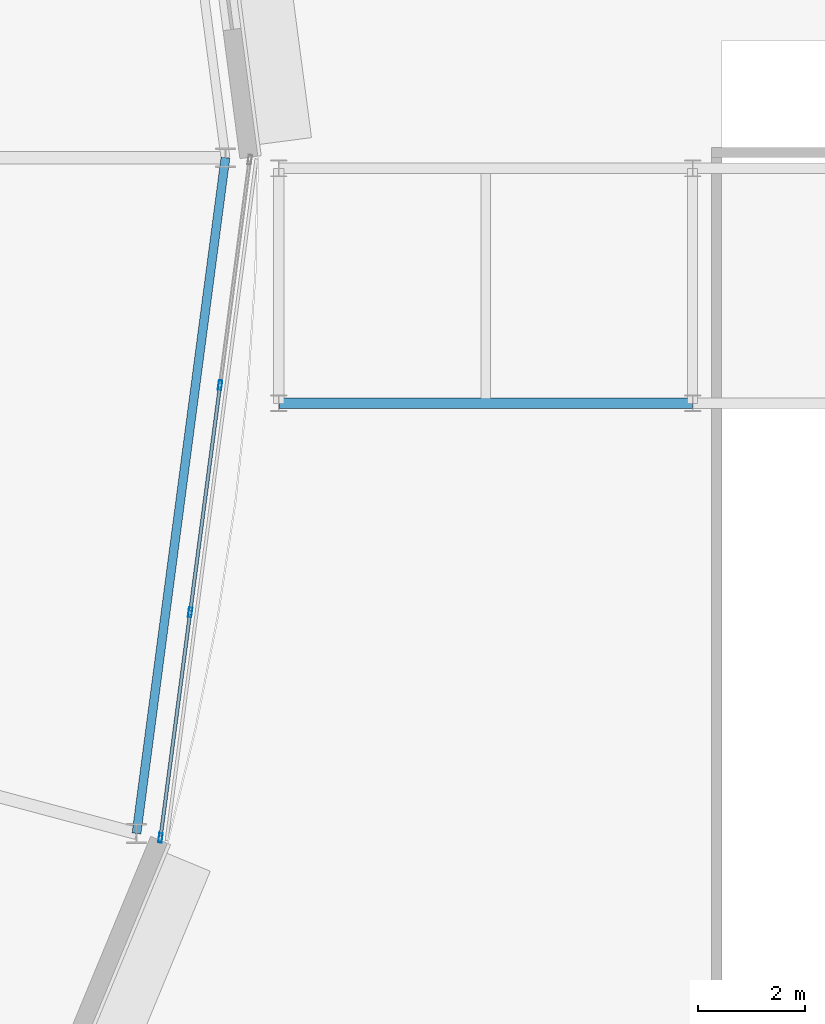
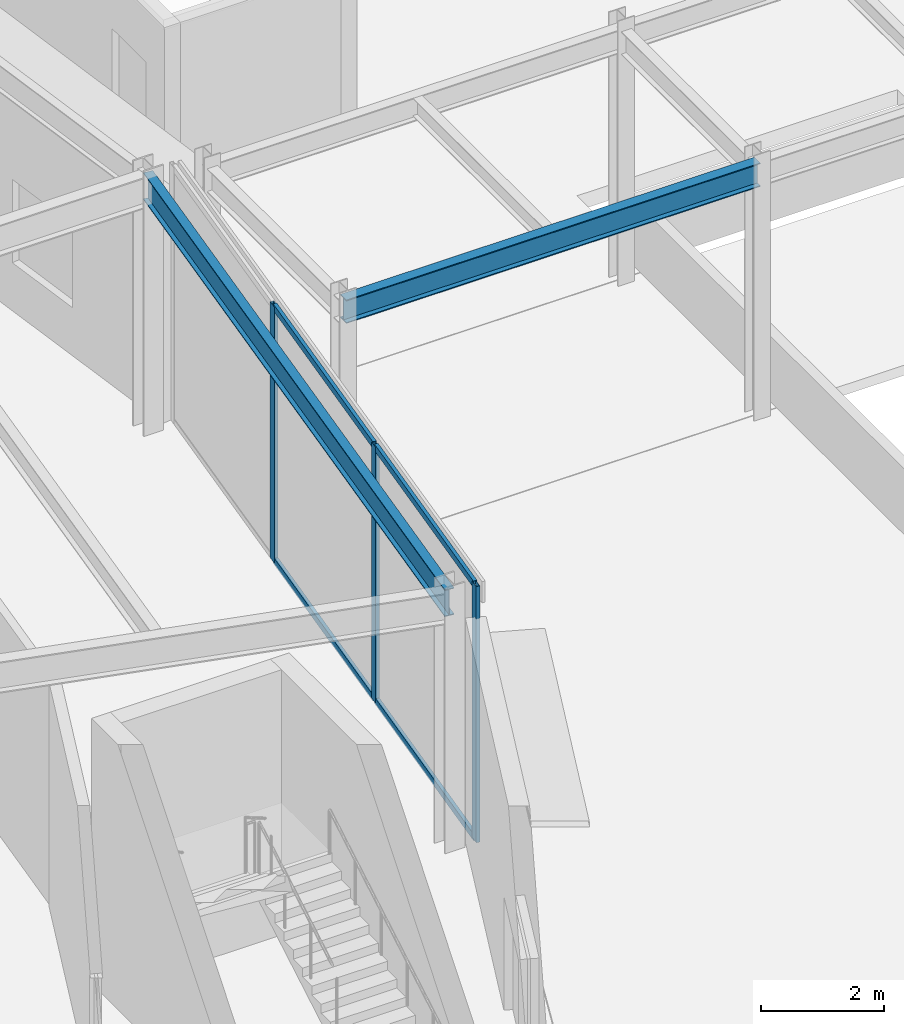
# One storey, part 97 of 168: 7 members, 2 beams, 1 element without a shape of its own.
"""IFC4 building model written with IfcOpenShell, lengths in metres."""

from ifc_helpers import new_model, si_unit, direction, frame, origin, origin_2d, place, context, subcontext, project, spatial, hollow_rectangle, i_section, extrude, material, material_profile, profile_set, type_object, element, aggregate, save


model = new_model("IFC4")

# Units and contexts
model_context = context("Model", 3, precision=1e-05, world=origin(), true_north=direction((0.0, 1.0)))
body_context = subcontext(model_context, "Body", "Model", "MODEL_VIEW")
ifc_project = project(units=[si_unit("LENGTHUNIT", "METRE"), si_unit("AREAUNIT", "SQUARE_METRE"), si_unit("VOLUMEUNIT", "CUBIC_METRE"), si_unit("PLANEANGLEUNIT", "RADIAN"), si_unit("MASSUNIT", "GRAM", prefix="KILO")], contexts=[model_context])

# Site, building, storey
site_placement = place(None, origin())
site = spatial("IfcSite", under=ifc_project, at=site_placement, CompositionType="ELEMENT")
building_placement = place(site_placement, origin())
building = spatial("IfcBuilding", under=site, at=building_placement, Name="Almandine Court Research Institute", CompositionType="ELEMENT")
storey_placement = place(building_placement, origin())
storey = spatial("IfcBuildingStorey", under=building, at=storey_placement, Name="L00", CompositionType="ELEMENT", Elevation=0.0)

# Beams
ifc_material_1 = material(Name="Steel ASTM A992 Grade 50", Category="steel")
ifc_material_profile_1 = material_profile(ifc_material_1, i_section(OverallWidth=0.166015625, OverallDepth=0.534912109375, WebThickness=0.010009765625, FlangeThickness=0.01708984375, at=origin_2d()), Name="W530x85")
ifc_profile_set_1 = profile_set([ifc_material_profile_1], Name="Steel ASTM A992 Grade 50")
beam_type_1 = type_object("IfcBeamType", Name="Beam-G-05-E", PredefinedType="SPANDREL", material=ifc_profile_set_1)
beam_1_placement = place(storey_placement, frame((134.23388671875, 43.343994140625, 4.802978515625), z_axis=(0.130512396599, 0.991446677504, 0.0), x_axis=(-0.991446677504, 0.130512396599, 0.0)))
element("IfcBeam", 1, at=beam_1_placement, inside=storey, type_object=beam_type_1, Name="L00 Drum OUT Ring Beam 23", PredefinedType="SPANDREL", context=body_context, shape_type="SweptSolid", body=[
    extrude(i_section(OverallWidth=0.166015625, OverallDepth=0.534912109375, WebThickness=0.010009765625, FlangeThickness=0.01708984375, at=origin_2d()), origin(), (0.0, 0.0, 1.0), 12.76513671875),
])
ifc_material_profile_2 = material_profile(ifc_material_1, i_section(OverallWidth=0.193115234375, OverallDepth=0.466064453125, WebThickness=0.010986328125, FlangeThickness=0.01904296875, at=origin_2d()), Name="W460x97")
ifc_profile_set_2 = profile_set([ifc_material_profile_2], Name="Steel ASTM A992 Grade 50")
beam_type_2 = type_object("IfcBeamType", Name="Beam-G-06-E", PredefinedType="SPANDREL", material=ifc_profile_set_2)
beam_2_placement = place(storey_placement, frame((136.89990234375, 51.39990234375, 4.7900390625), z_axis=(1.0, 0.0, 0.0), x_axis=(0.0, 1.0, 0.0)))
element("IfcBeam", 2, at=beam_2_placement, inside=storey, type_object=beam_type_2, Name="L00 DAL-E Primary X Girder", PredefinedType="SPANDREL", context=body_context, shape_type="SweptSolid", body=[
    extrude(i_section(OverallWidth=0.193115234375, OverallDepth=0.466064453125, WebThickness=0.010986328125, FlangeThickness=0.01904296875, at=origin_2d()), origin(), (0.0, 0.0, 1.0), 7.75),
])

# Curtain wall, members
ifc_material_2 = material(Name="Unitised Curtain Wall Framing and Solar Glazing", Category="glass")
curtain_wall_type = type_object("IfcCurtainWallType", Name="CW-CWJ-17", PredefinedType="USERDEFINED", material=ifc_material_2)
curtain_wall_placement = place(storey_placement, origin())
curtain_wall = element("IfcCurtainWall", 3, at=curtain_wall_placement, inside=storey, type_object=curtain_wall_type, Name="L00 Stacked-Ring Drum Outer Solar Jali Screen 23", ObjectType="SOLAR JALI SCREEN", PredefinedType="USERDEFINED")
ifc_material_3 = material(Name="Anodised Aluminium AW-6063-T6", Category="aluminium")
ifc_material_profile_3 = material_profile(ifc_material_3, hollow_rectangle(XDim=0.06494140625, YDim=0.179931640625, WallThickness=0.00390625, at=origin_2d()), Name="ALU RHS 65x180x4")
ifc_profile_set_3 = profile_set([ifc_material_profile_3], Name="Anodised Aluminium AW-6063-T6")
member_type_1 = type_object("IfcMemberType", Name="CWMul-65x180", PredefinedType="MULLION", material=ifc_profile_set_3)
member_1_placement = place(storey_placement, frame((135.799560546875, 51.740234375, 0.0), z_axis=(0.0, 0.0, 1.0), x_axis=(0.991442926098, -0.130540891259, 0.0)))
member_1 = element("IfcMember", 4, at=member_1_placement, type_object=member_type_1, Name="CWJ-17 mullion 2", PredefinedType="MULLION", context=body_context, shape_type="SweptSolid", body=[
    extrude(hollow_rectangle(XDim=0.06494140625, YDim=0.179931640625, WallThickness=0.00390625, at=origin_2d()), origin(), (0.0, 0.0, 1.0), 5.070068359375),
])
member_2_placement = place(storey_placement, frame((135.2392578125, 47.484619140625, 0.0), z_axis=(0.0, 0.0, 1.0), x_axis=(0.991442926098, -0.130540891259, 0.0)))
member_2 = element("IfcMember", 5, at=member_2_placement, type_object=member_type_1, Name="CWJ-17 mullion 3", PredefinedType="MULLION", context=body_context, shape_type="SweptSolid", body=[
    extrude(hollow_rectangle(XDim=0.06494140625, YDim=0.179931640625, WallThickness=0.00390625, at=origin_2d()), origin(), (0.0, 0.0, 1.0), 5.070068359375),
])
member_3_placement = place(storey_placement, frame((134.683349609375, 43.26123046875, 0.0), z_axis=(0.0, 0.0, 1.0), x_axis=(0.991442926098, -0.130540891259, 0.0)))
member_3 = element("IfcMember", 6, at=member_3_placement, type_object=member_type_1, Name="CWJ-17 mullion 4", PredefinedType="MULLION", context=body_context, shape_type="SweptSolid", body=[
    extrude(hollow_rectangle(XDim=0.06494140625, YDim=0.179931640625, WallThickness=0.00390625, at=origin_2d()), origin(), (0.0, 0.0, 1.0), 5.070068359375),
])
ifc_material_profile_4 = material_profile(ifc_material_3, hollow_rectangle(XDim=0.06494140625, YDim=0.1298828125, WallThickness=0.00390625, at=origin_2d()), Name="ALU RHS 65x130x4")
ifc_profile_set_4 = profile_set([ifc_material_profile_4], Name="Anodised Aluminium AW-6063-T6")
member_type_2 = type_object("IfcMemberType", Name="CWTrn-65x130", PredefinedType="NOTDEFINED", material=ifc_profile_set_4)
member_4_placement = place(storey_placement, frame((135.79541015625, 51.7080078125, 0.032470703125), z_axis=(-0.130521740045, -0.991445447504, 0.0), x_axis=(0.991445447504, -0.130521740045, 0.0)))
member_4 = element("IfcMember", 7, at=member_4_placement, type_object=member_type_2, Name="CWJ-17 transom 2.1", ObjectType="TRANSOM", PredefinedType="USERDEFINED", context=body_context, shape_type="SweptSolid", body=[
    extrude(hollow_rectangle(XDim=0.06494140625, YDim=0.1298828125, WallThickness=0.00390625, at=origin_2d()), origin(), (0.0, 0.0, 1.0), 4.227294921875),
])
member_5_placement = place(storey_placement, frame((135.79541015625, 51.7080078125, 5.03759765625), z_axis=(-0.130521740045, -0.991445447504, 0.0), x_axis=(0.991445447504, -0.130521740045, 0.0)))
member_5 = element("IfcMember", 8, at=member_5_placement, type_object=member_type_2, Name="CWJ-17 transom 2.2", ObjectType="TRANSOM", PredefinedType="USERDEFINED", context=body_context, shape_type="SweptSolid", body=[
    extrude(hollow_rectangle(XDim=0.06494140625, YDim=0.1298828125, WallThickness=0.00390625, at=origin_2d()), origin(), (0.0, 0.0, 1.0), 4.227294921875),
])
member_6_placement = place(storey_placement, frame((135.235107421875, 47.452392578125, 0.032470703125), z_axis=(-0.130543337873, -0.991442603955, 0.0), x_axis=(0.991442603955, -0.130543337873, 0.0)))
member_6 = element("IfcMember", 9, at=member_6_placement, type_object=member_type_2, Name="CWJ-17 transom 3.1", ObjectType="TRANSOM", PredefinedType="USERDEFINED", context=body_context, shape_type="SweptSolid", body=[
    extrude(hollow_rectangle(XDim=0.06494140625, YDim=0.1298828125, WallThickness=0.00390625, at=origin_2d()), origin(), (0.0, 0.0, 1.0), 4.19482421875),
])
member_7_placement = place(storey_placement, frame((135.235107421875, 47.452392578125, 5.03759765625), z_axis=(-0.130543337873, -0.991442603955, 0.0), x_axis=(0.991442603955, -0.130543337873, 0.0)))
member_7 = element("IfcMember", 10, at=member_7_placement, type_object=member_type_2, Name="CWJ-17 transom 3.2", ObjectType="TRANSOM", PredefinedType="USERDEFINED", context=body_context, shape_type="SweptSolid", body=[
    extrude(hollow_rectangle(XDim=0.06494140625, YDim=0.1298828125, WallThickness=0.00390625, at=origin_2d()), origin(), (0.0, 0.0, 1.0), 4.19482421875),
])
aggregate(curtain_wall, [member_1, member_2, member_3, member_4, member_5, member_6, member_7])

save(model, "model.ifc")
